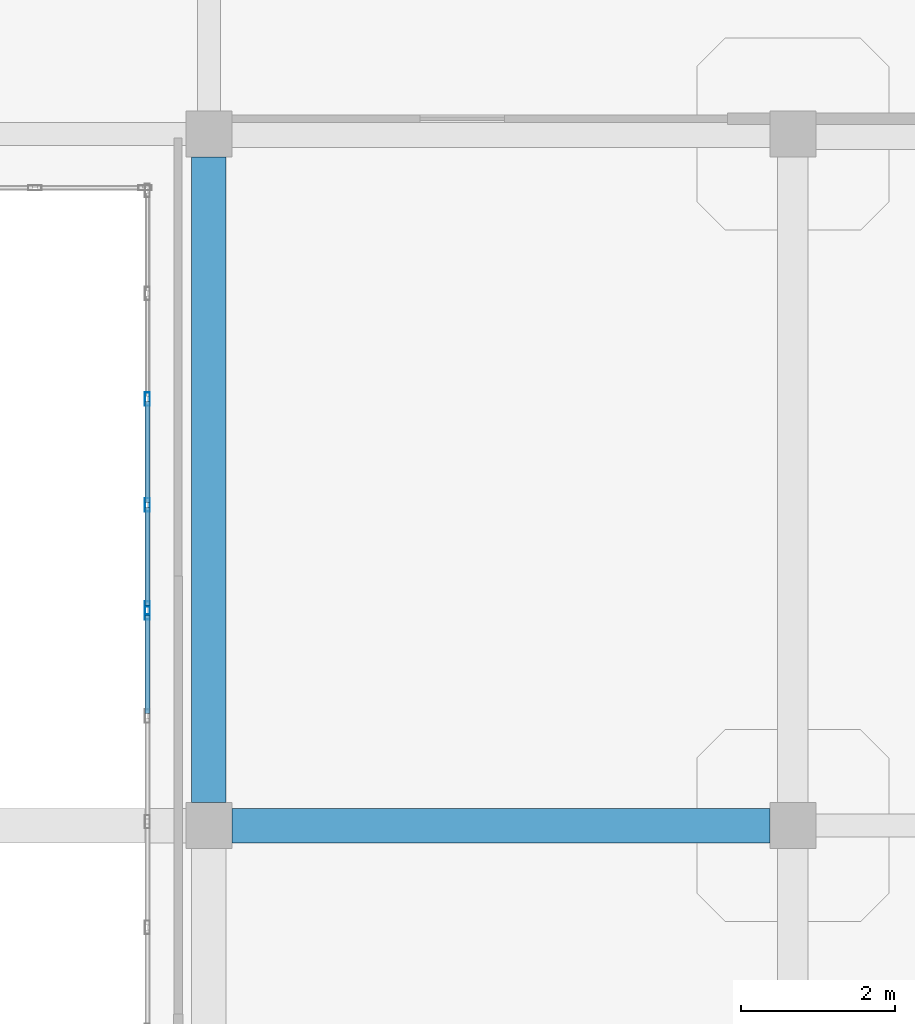
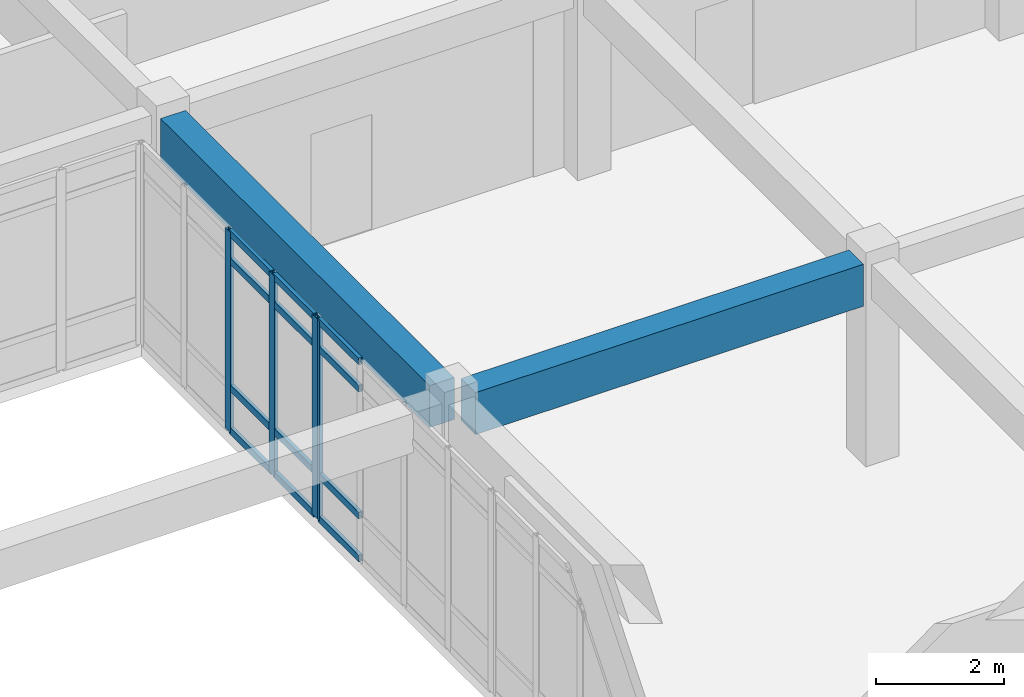
# One storey, part 87 of 146: 16 members, 2 beams, 2 elements without a shape of their own.
"""IFC4 building model written with IfcOpenShell, lengths in metres."""

from ifc_helpers import new_model, si_unit, direction, frame, origin, origin_2d, place, context, subcontext, project, spatial, rectangle, hollow_rectangle, extrude, material, layer, layer_set, material_profile, profile_set, type_object, element, aggregate, save


model = new_model("IFC4")

# Units and contexts
model_context = context("Model", 3, precision=1e-05, world=origin(), true_north=direction((0.0, 1.0)))
body_context = subcontext(model_context, "Body", "Model", "MODEL_VIEW")
ifc_project = project(units=[si_unit("LENGTHUNIT", "METRE"), si_unit("AREAUNIT", "SQUARE_METRE"), si_unit("VOLUMEUNIT", "CUBIC_METRE"), si_unit("PLANEANGLEUNIT", "RADIAN"), si_unit("MASSUNIT", "GRAM", prefix="KILO")], contexts=[model_context])

# Site, building, storey
site_placement = place(None, origin())
site = spatial("IfcSite", under=ifc_project, at=site_placement, CompositionType="ELEMENT")
building_placement = place(site_placement, origin())
building = spatial("IfcBuilding", under=site, at=building_placement, Name="Valcora Specialist Clinic", CompositionType="ELEMENT")
storey_placement = place(building_placement, frame((0.0, 0.0, 9.52001953125)))
storey = spatial("IfcBuildingStorey", under=building, at=storey_placement, Name="L02", CompositionType="ELEMENT", Elevation=9.52001953125)

# Beams
ifc_material_1 = material(Name="Concrete C40/50", Category="concrete")
ifc_material_profile_1 = material_profile(ifc_material_1, rectangle(XDim=0.449951171875, YDim=0.800048828125, at=origin_2d()), Name="RC-BM-450X800")
ifc_profile_set_1 = profile_set([ifc_material_profile_1], Name="Concrete C40/50")
beam_type = type_object("IfcBeamType", Name="TY-BM-RC450X800", PredefinedType="BEAM", material=ifc_profile_set_1)
beam_1_placement = place(storey_placement, frame((91.10009765625, 90.199951171875, 3.419921875), z_axis=(1.0, 0.0, 0.0), x_axis=(0.0, 1.0, 0.0)))
element("IfcBeam", 1, at=beam_1_placement, inside=storey, type_object=beam_type, Name="Beam BM-L02-0714", PredefinedType="BEAM", context=body_context, shape_type="SweptSolid", body=[
    extrude(rectangle(XDim=0.449951171875, YDim=0.800048828125, at=origin_2d()), origin(), (0.0, 0.0, 1.0), 7.0),
])
beam_2_placement = place(storey_placement, frame((90.800048828125, 90.5, 3.419921875), z_axis=(0.0, 1.0, 0.0), x_axis=(-1.0, 0.0, 0.0)))
element("IfcBeam", 2, at=beam_2_placement, inside=storey, type_object=beam_type, Name="Beam BM-L02-0748", PredefinedType="BEAM", context=body_context, shape_type="SweptSolid", body=[
    extrude(rectangle(XDim=0.449951171875, YDim=0.800048828125, at=origin_2d()), origin(), (0.0, 0.0, 1.0), 8.39990234375),
])

# Curtain wall, member
ifc_material_2 = material(Name="Anodized Bronze Aluminium 6063-T6", Category="aluminium")
ifc_layer = layer(ifc_material_2, 0.175048828125)
ifc_layer_set = layer_set([ifc_layer], Name="Anodized Bronze Aluminium 6063-T6")
curtain_wall_type = type_object("IfcCurtainWallType", Name="TY-CW-CRT15", PredefinedType="NOTDEFINED", material=ifc_layer_set)
curtain_wall_1_placement = place(storey_placement, origin())
curtain_wall_1 = element("IfcCurtainWall", 3, at=curtain_wall_1_placement, inside=storey, type_object=curtain_wall_type, Name="Curtain wall CW-L02-097", PredefinedType="NOTDEFINED")
ifc_material_profile_2 = material_profile(ifc_material_2, hollow_rectangle(XDim=0.06494140625, YDim=0.175048828125, WallThickness=0.00390625, at=origin_2d()), Name="AL-MUL-65X175")
ifc_profile_set_2 = profile_set([ifc_material_profile_2], Name="Anodized Bronze Aluminium 6063-T6")
member_type_1 = type_object("IfcMemberType", Name="TY-CWM-65X175", PredefinedType="MULLION", material=ifc_profile_set_2)
member_1_placement = place(storey_placement, frame((90.0, 92.967529296875, 0.0), z_axis=(0.0, 0.0, 1.0), x_axis=(-1.0, 0.0, 0.0)))
member_1 = element("IfcMember", 4, at=member_1_placement, type_object=member_type_1, Name="CW-CRT-15 mullion 5", PredefinedType="MULLION", context=body_context, shape_type="SweptSolid", body=[
    extrude(hollow_rectangle(XDim=0.06494140625, YDim=0.175048828125, WallThickness=0.00390625, at=origin_2d()), origin(), (0.0, 0.0, 1.0), 3.820068359375),
])

# Curtain wall, members
curtain_wall_2_placement = place(storey_placement, origin())
curtain_wall_2 = element("IfcCurtainWall", 5, at=curtain_wall_2_placement, inside=storey, type_object=curtain_wall_type, Name="Curtain wall CW-L02-098", PredefinedType="NOTDEFINED")
member_2_placement = place(storey_placement, frame((90.0, 93.032470703125, 0.0), z_axis=(0.0, 0.0, 1.0), x_axis=(-1.0, 0.0, 0.0)))
member_2 = element("IfcMember", 6, at=member_2_placement, type_object=member_type_1, Name="CW-CRT-15 mullion 1", PredefinedType="MULLION", context=body_context, shape_type="SweptSolid", body=[
    extrude(hollow_rectangle(XDim=0.06494140625, YDim=0.175048828125, WallThickness=0.00390625, at=origin_2d()), origin(), (0.0, 0.0, 1.0), 3.820068359375),
])
member_3_placement = place(storey_placement, frame((90.0, 94.375, 0.0), z_axis=(0.0, 0.0, 1.0), x_axis=(-1.0, 0.0, 0.0)))
member_3 = element("IfcMember", 7, at=member_3_placement, type_object=member_type_1, Name="CW-CRT-15 mullion 2", PredefinedType="MULLION", context=body_context, shape_type="SweptSolid", body=[
    extrude(hollow_rectangle(XDim=0.06494140625, YDim=0.175048828125, WallThickness=0.00390625, at=origin_2d()), origin(), (0.0, 0.0, 1.0), 3.820068359375),
])
member_4_placement = place(storey_placement, frame((90.0, 95.75, 0.0), z_axis=(0.0, 0.0, 1.0), x_axis=(-1.0, 0.0, 0.0)))
member_4 = element("IfcMember", 8, at=member_4_placement, type_object=member_type_1, Name="CW-CRT-15 mullion 3", PredefinedType="MULLION", context=body_context, shape_type="SweptSolid", body=[
    extrude(hollow_rectangle(XDim=0.06494140625, YDim=0.175048828125, WallThickness=0.00390625, at=origin_2d()), origin(), (0.0, 0.0, 1.0), 3.820068359375),
])

# Member
ifc_material_profile_3 = material_profile(ifc_material_2, hollow_rectangle(XDim=0.06494140625, YDim=0.1298828125, WallThickness=0.00390625, at=origin_2d()), Name="AL-TRN-65X130")
ifc_profile_set_3 = profile_set([ifc_material_profile_3], Name="Anodized Bronze Aluminium 6063-T6")
member_type_2 = type_object("IfcMemberType", Name="TY-CWT-65X130", PredefinedType="USERDEFINED", material=ifc_profile_set_3)
member_5_placement = place(storey_placement, frame((90.0, 91.657470703125, 0.032470703125), z_axis=(0.0, 1.0, 0.0), x_axis=(-1.0, 0.0, 0.0)))
member_5 = element("IfcMember", 9, at=member_5_placement, type_object=member_type_2, Name="CW-CRT-15 transom 4.1", ObjectType="TRANSOM", PredefinedType="USERDEFINED", context=body_context, shape_type="SweptSolid", body=[
    extrude(hollow_rectangle(XDim=0.06494140625, YDim=0.1298828125, WallThickness=0.00390625, at=origin_2d()), origin(), (0.0, 0.0, 1.0), 1.277587890625),
])

member_6_placement = place(storey_placement, frame((90.0, 91.657470703125, 0.85009765625), z_axis=(0.0, 1.0, 0.0), x_axis=(-1.0, 0.0, 0.0)))
member_6 = element("IfcMember", 10, at=member_6_placement, type_object=member_type_2, Name="CW-CRT-15 transom 4.2", ObjectType="TRANSOM", PredefinedType="USERDEFINED", context=body_context, shape_type="SweptSolid", body=[
    extrude(hollow_rectangle(XDim=0.06494140625, YDim=0.1298828125, WallThickness=0.00390625, at=origin_2d()), origin(), (0.0, 0.0, 1.0), 1.277587890625),
])

member_7_placement = place(storey_placement, frame((90.0, 91.657470703125, 3.27001953125), z_axis=(0.0, 1.0, 0.0), x_axis=(-1.0, 0.0, 0.0)))
member_7 = element("IfcMember", 11, at=member_7_placement, type_object=member_type_2, Name="CW-CRT-15 transom 4.3", ObjectType="TRANSOM", PredefinedType="USERDEFINED", context=body_context, shape_type="SweptSolid", body=[
    extrude(hollow_rectangle(XDim=0.06494140625, YDim=0.1298828125, WallThickness=0.00390625, at=origin_2d()), origin(), (0.0, 0.0, 1.0), 1.277587890625),
])

member_8_placement = place(storey_placement, frame((90.0, 91.657470703125, 3.78759765625), z_axis=(0.0, 1.0, 0.0), x_axis=(-1.0, 0.0, 0.0)))
member_8 = element("IfcMember", 12, at=member_8_placement, type_object=member_type_2, Name="CW-CRT-15 transom 4.4", ObjectType="TRANSOM", PredefinedType="USERDEFINED", context=body_context, shape_type="SweptSolid", body=[
    extrude(hollow_rectangle(XDim=0.06494140625, YDim=0.1298828125, WallThickness=0.00390625, at=origin_2d()), origin(), (0.0, 0.0, 1.0), 1.277587890625),
])

aggregate(curtain_wall_1, [member_1, member_5, member_6, member_7, member_8])

member_9_placement = place(storey_placement, frame((90.0, 93.06494140625, 0.032470703125), z_axis=(0.0, 1.0, 0.0), x_axis=(-1.0, 0.0, 0.0)))
member_9 = element("IfcMember", 13, at=member_9_placement, type_object=member_type_2, Name="CW-CRT-15 transom 1.1", ObjectType="TRANSOM", PredefinedType="USERDEFINED", context=body_context, shape_type="SweptSolid", body=[
    extrude(hollow_rectangle(XDim=0.06494140625, YDim=0.1298828125, WallThickness=0.00390625, at=origin_2d()), origin(), (0.0, 0.0, 1.0), 1.277587890625),
])

member_10_placement = place(storey_placement, frame((90.0, 93.06494140625, 0.85009765625), z_axis=(0.0, 1.0, 0.0), x_axis=(-1.0, 0.0, 0.0)))
member_10 = element("IfcMember", 14, at=member_10_placement, type_object=member_type_2, Name="CW-CRT-15 transom 1.2", ObjectType="TRANSOM", PredefinedType="USERDEFINED", context=body_context, shape_type="SweptSolid", body=[
    extrude(hollow_rectangle(XDim=0.06494140625, YDim=0.1298828125, WallThickness=0.00390625, at=origin_2d()), origin(), (0.0, 0.0, 1.0), 1.277587890625),
])

member_11_placement = place(storey_placement, frame((90.0, 93.06494140625, 3.27001953125), z_axis=(0.0, 1.0, 0.0), x_axis=(-1.0, 0.0, 0.0)))
member_11 = element("IfcMember", 15, at=member_11_placement, type_object=member_type_2, Name="CW-CRT-15 transom 1.3", ObjectType="TRANSOM", PredefinedType="USERDEFINED", context=body_context, shape_type="SweptSolid", body=[
    extrude(hollow_rectangle(XDim=0.06494140625, YDim=0.1298828125, WallThickness=0.00390625, at=origin_2d()), origin(), (0.0, 0.0, 1.0), 1.277587890625),
])

member_12_placement = place(storey_placement, frame((90.0, 93.06494140625, 3.78759765625), z_axis=(0.0, 1.0, 0.0), x_axis=(-1.0, 0.0, 0.0)))
member_12 = element("IfcMember", 16, at=member_12_placement, type_object=member_type_2, Name="CW-CRT-15 transom 1.4", ObjectType="TRANSOM", PredefinedType="USERDEFINED", context=body_context, shape_type="SweptSolid", body=[
    extrude(hollow_rectangle(XDim=0.06494140625, YDim=0.1298828125, WallThickness=0.00390625, at=origin_2d()), origin(), (0.0, 0.0, 1.0), 1.277587890625),
])

member_13_placement = place(storey_placement, frame((90.0, 94.407470703125, 0.032470703125), z_axis=(0.0, 1.0, 0.0), x_axis=(-1.0, 0.0, 0.0)))
member_13 = element("IfcMember", 17, at=member_13_placement, type_object=member_type_2, Name="CW-CRT-15 transom 2.1", ObjectType="TRANSOM", PredefinedType="USERDEFINED", context=body_context, shape_type="SweptSolid", body=[
    extrude(hollow_rectangle(XDim=0.06494140625, YDim=0.1298828125, WallThickness=0.00390625, at=origin_2d()), origin(), (0.0, 0.0, 1.0), 1.31005859375),
])

member_14_placement = place(storey_placement, frame((90.0, 94.407470703125, 0.85009765625), z_axis=(0.0, 1.0, 0.0), x_axis=(-1.0, 0.0, 0.0)))
member_14 = element("IfcMember", 18, at=member_14_placement, type_object=member_type_2, Name="CW-CRT-15 transom 2.2", ObjectType="TRANSOM", PredefinedType="USERDEFINED", context=body_context, shape_type="SweptSolid", body=[
    extrude(hollow_rectangle(XDim=0.06494140625, YDim=0.1298828125, WallThickness=0.00390625, at=origin_2d()), origin(), (0.0, 0.0, 1.0), 1.31005859375),
])

member_15_placement = place(storey_placement, frame((90.0, 94.407470703125, 3.27001953125), z_axis=(0.0, 1.0, 0.0), x_axis=(-1.0, 0.0, 0.0)))
member_15 = element("IfcMember", 19, at=member_15_placement, type_object=member_type_2, Name="CW-CRT-15 transom 2.3", ObjectType="TRANSOM", PredefinedType="USERDEFINED", context=body_context, shape_type="SweptSolid", body=[
    extrude(hollow_rectangle(XDim=0.06494140625, YDim=0.1298828125, WallThickness=0.00390625, at=origin_2d()), origin(), (0.0, 0.0, 1.0), 1.31005859375),
])

member_16_placement = place(storey_placement, frame((90.0, 94.407470703125, 3.78759765625), z_axis=(0.0, 1.0, 0.0), x_axis=(-1.0, 0.0, 0.0)))
member_16 = element("IfcMember", 20, at=member_16_placement, type_object=member_type_2, Name="CW-CRT-15 transom 2.4", ObjectType="TRANSOM", PredefinedType="USERDEFINED", context=body_context, shape_type="SweptSolid", body=[
    extrude(hollow_rectangle(XDim=0.06494140625, YDim=0.1298828125, WallThickness=0.00390625, at=origin_2d()), origin(), (0.0, 0.0, 1.0), 1.31005859375),
])

aggregate(curtain_wall_2, [member_2, member_3, member_4, member_9, member_10, member_11, member_12, member_13, member_14, member_15, member_16])

save(model, "model.ifc")
